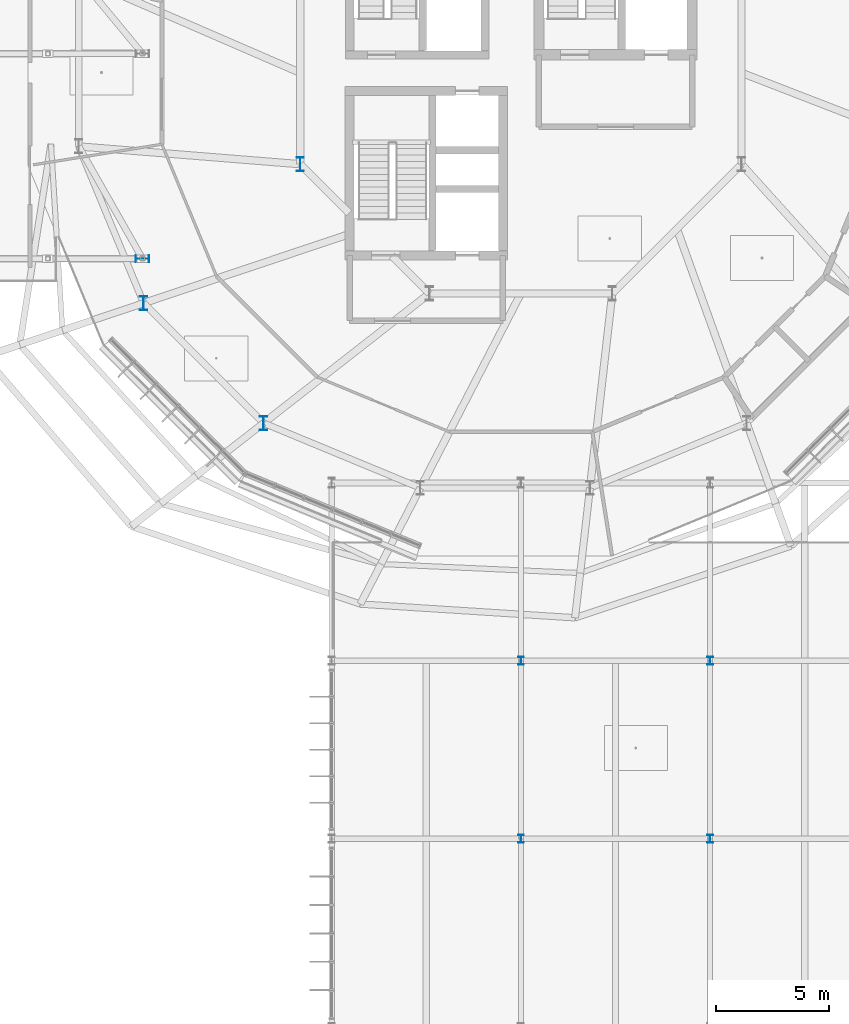
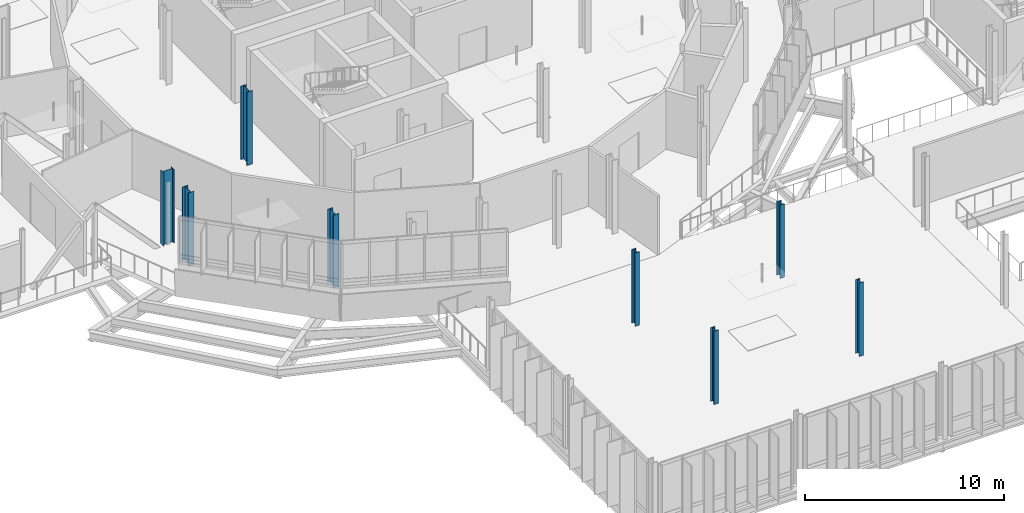
# One storey, part 2 of 139: 8 columns.
"""IFC4 building model written with IfcOpenShell, lengths in metres."""

from ifc_helpers import new_model, si_unit, derived_unit, direction, frame, origin, origin_2d, place, context, subcontext, project, spatial, i_section, extrude, material, material_profile, profile_set, type_object, element, save


model = new_model("IFC4")

# Units and contexts
model_context = context("Model", 3, precision=1e-05, world=origin(), true_north=direction((0.0, 1.0)))
body_context = subcontext(model_context, "Body", "Model", "MODEL_VIEW")
ifc_project = project(units=[si_unit("LENGTHUNIT", "METRE"), si_unit("AREAUNIT", "SQUARE_METRE"), si_unit("VOLUMEUNIT", "CUBIC_METRE"), si_unit("PLANEANGLEUNIT", "RADIAN"), si_unit("MASSUNIT", "GRAM", prefix="KILO"), derived_unit("THERMALTRANSMITTANCEUNIT", [(si_unit("MASSUNIT", "GRAM", prefix="KILO"), 1), (si_unit("TIMEUNIT", "SECOND"), -3), (si_unit("THERMODYNAMICTEMPERATUREUNIT", "KELVIN"), -1)])], contexts=[model_context])

# Site, building, storey
site_placement = place(None, origin())
site = spatial("IfcSite", under=ifc_project, at=site_placement, CompositionType="ELEMENT")
building_placement = place(site_placement, origin())
building = spatial("IfcBuilding", under=site, at=building_placement, Name="Makaiwela Harbour Ferry Terminal", CompositionType="ELEMENT")
storey_placement = place(building_placement, frame((0.0, 0.0, 5.10009765625)))
storey = spatial("IfcBuildingStorey", under=building, at=storey_placement, Name="L01", CompositionType="ELEMENT", Elevation=5.10009765625)

# Columns
ifc_material = material(Name="Steel ASTM A992 Grade 50", Category="steel")
ifc_material_profile_1 = material_profile(ifc_material, i_section(OverallWidth=0.257080078125, OverallDepth=0.363037109375, WebThickness=0.012939453125, FlangeThickness=0.021728515625, at=origin_2d()), Name="W14X82")
ifc_profile_set_1 = profile_set([ifc_material_profile_1], Name="Steel ASTM A992 Grade 50")
column_type_1 = type_object("IfcColumnType", Name="STR-COL-W14X82", PredefinedType="COLUMN", material=ifc_profile_set_1)
for number, where, z_axis, x_axis, name in (
    (1, (37.800048828125, 33.60009765625, 0.0), (0.0, 0.0, 1.0), (1.0, 0.0, 0.0), "Structural Column C-05"),
    (2, (37.800048828125, 41.5, 0.0), (0.0, 0.0, 1.0), (1.0, 0.0, 0.0), "Structural Column C-05"),
    (3, (46.199951171875, 33.60009765625, 0.0), (0.0, 0.0, 1.0), (1.0, 0.0, 0.0), "Structural Column C-05"),
    (4, (46.199951171875, 41.5, 0.0), (0.0, 0.0, 1.0), (1.0, 0.0, 0.0), "Structural Column C-05"),
):
    element("IfcColumn", number, at=place(storey_placement, frame(where, z_axis=z_axis, x_axis=x_axis)), inside=storey, type_object=column_type_1, Name=name, PredefinedType="COLUMN", context=body_context, shape_type="SweptSolid", body=[
        extrude(i_section(OverallWidth=0.257080078125, OverallDepth=0.363037109375, WebThickness=0.012939453125, FlangeThickness=0.021728515625, at=origin_2d()), origin(), (0.0, 0.0, 1.0), 4.5),
    ])
ifc_material_profile_2 = material_profile(ifc_material, i_section(OverallWidth=0.324951171875, OverallDepth=0.615966796875, WebThickness=0.013916015625, FlangeThickness=0.021484375, at=origin_2d()), Name="W24X117")
ifc_profile_set_2 = profile_set([ifc_material_profile_2], Name="Steel ASTM A992 Grade 50")
column_type_2 = type_object("IfcColumnType", Name="STR-COL-W24X117", PredefinedType="COLUMN", material=ifc_profile_set_2)
for number, where, z_axis, x_axis, name in (
    (5, (21.052490234375, 57.37744140625, 0.0), (0.0, 0.0, 1.0), (1.0, 0.0, 0.0), "Structural Column C-02"),
    (6, (26.37744140625, 52.052490234375, 0.0), (0.0, 0.0, 1.0), (1.0, 0.0, 0.0), "Structural Column C-02"),
    (7, (21.0, 59.35009765625, 0.0), (0.0, 0.0, 1.0), (0.0, 1.0, 0.0), "Structural Column C-02"),
):
    element("IfcColumn", number, at=place(storey_placement, frame(where, z_axis=z_axis, x_axis=x_axis)), inside=storey, type_object=column_type_2, Name=name, PredefinedType="COLUMN", context=body_context, shape_type="SweptSolid", body=[
        extrude(i_section(OverallWidth=0.324951171875, OverallDepth=0.615966796875, WebThickness=0.013916015625, FlangeThickness=0.021484375, at=origin_2d()), origin(), (0.0, 0.0, 1.0), 4.5),
    ])
ifc_material_profile_3 = material_profile(ifc_material, i_section(OverallWidth=0.327880859375, OverallDepth=0.6279296875, WebThickness=0.0166015625, FlangeThickness=0.027587890625, at=origin_2d()), Name="W24X146")
ifc_profile_set_3 = profile_set([ifc_material_profile_3], Name="Steel ASTM A992 Grade 50")
column_type_3 = type_object("IfcColumnType", Name="STR-COL-W24X146", PredefinedType="COLUMN", material=ifc_profile_set_3)
column_placement = place(storey_placement, frame((28.0068359375, 63.543701171875, 0.0), z_axis=(0.0, 0.0, 1.0), x_axis=(1.0, 0.0, 0.0)))
element("IfcColumn", 8, at=column_placement, inside=storey, type_object=column_type_3, Name="Structural Column C-01", PredefinedType="COLUMN", context=body_context, shape_type="SweptSolid", body=[
    extrude(i_section(OverallWidth=0.327880859375, OverallDepth=0.6279296875, WebThickness=0.0166015625, FlangeThickness=0.027587890625, at=origin_2d()), origin(), (0.0, 0.0, 1.0), 4.5),
])

save(model, "model.ifc")
